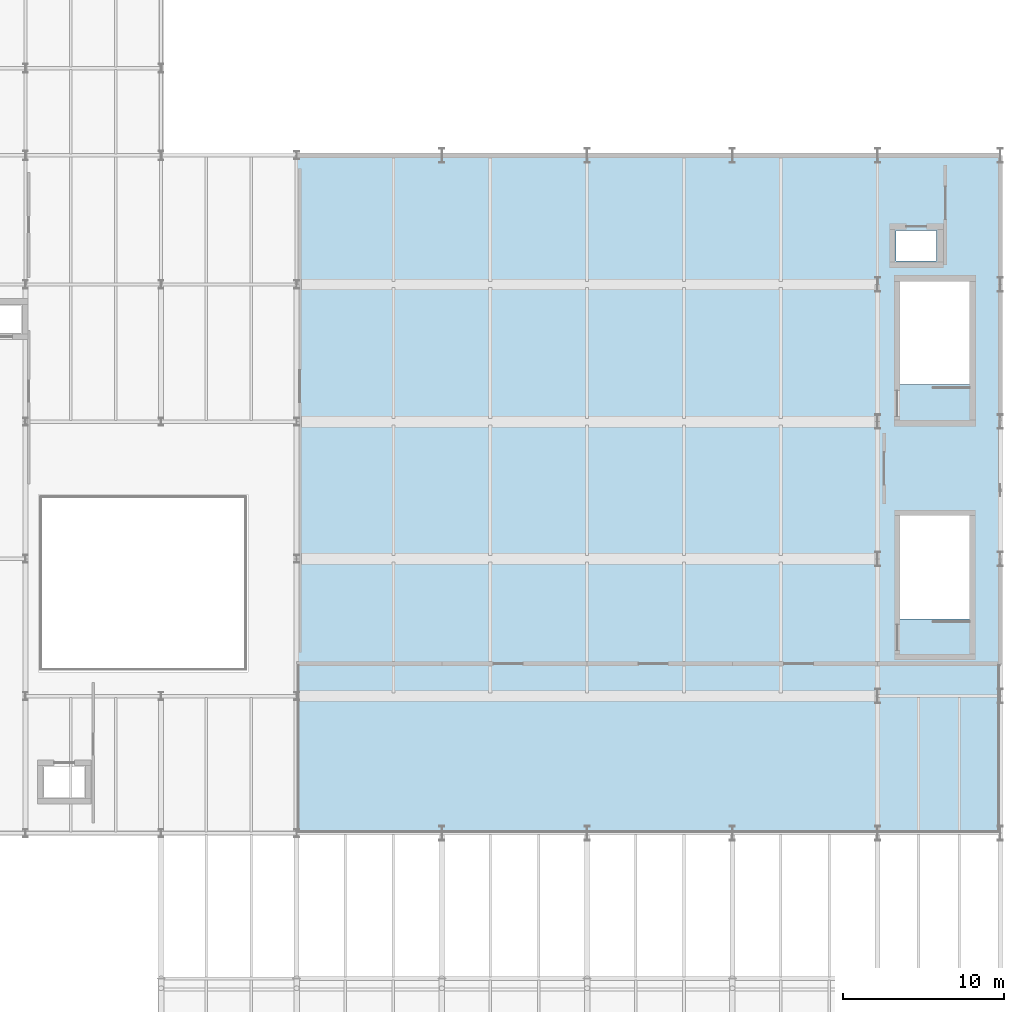
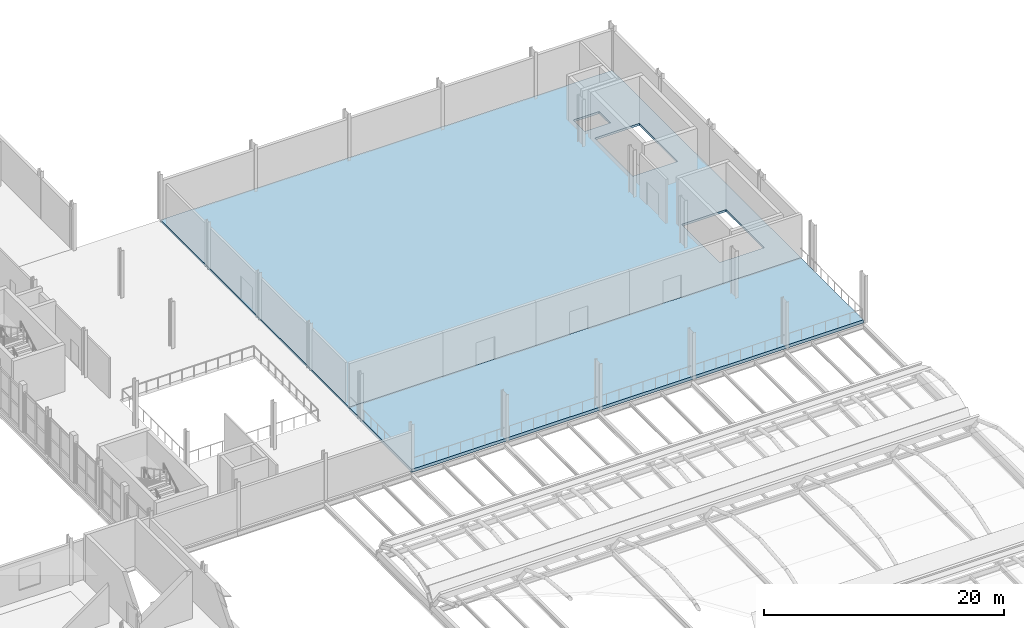
# One storey, part 40 of 63: 2 slabs.
"""IFC4 building model written with IfcOpenShell, lengths in metres."""

import ifcopenshell
import ifcopenshell.guid

model = None  # the IFC model being written
_history = None  # IfcOwnerHistory: only IFC2X3 demands one
_inside = {}  # id of a spatial element -> (the spatial element, [elements in it])
_under = {}  # id of a project, library or spatial element -> (it, [spatial elements below it])
_declared = {}  # id of a project -> (the project, [libraries it declares])
_typed = {}  # id of a type object -> (the type object, [elements of that type])
_made_of = {}  # id of a material, layer set ... -> (it, [elements and type objects made of it])


def new_model(schema):
    """Start an empty IFC model of exactly this schema.

    Asked for "IFC4X3", IfcOpenShell would pick the latest addendum, in which some entities
    have other attributes; the version numbers below select the first issue.
    IFC2X3 requires an IfcOwnerHistory on every rooted entity: one is made here for all.
    """
    global model, _history
    if schema == "IFC4X3":
        model = ifcopenshell.file(schema_version=(4, 3, 0, 0))
    else:
        model = ifcopenshell.file(schema=schema)
    _inside.clear()
    _under.clear()
    _declared.clear()
    _typed.clear()
    _made_of.clear()
    _history = None
    if model.schema == "IFC2X3":
        org = make("IfcOrganization", Name="unknown")
        user = make(
            "IfcPersonAndOrganization",
            ThePerson=make("IfcPerson", FamilyName="unknown"),
            TheOrganization=org,
        )
        app = make(
            "IfcApplication",
            ApplicationDeveloper=org,
            Version="unknown",
            ApplicationFullName="unknown",
            ApplicationIdentifier="unknown",
        )
        _history = make(
            "IfcOwnerHistory",
            OwningUser=user,
            OwningApplication=app,
            ChangeAction="ADDED",
            CreationDate=0,
        )
    return model


def make(cls, **values):
    """One entity of the class cls with the attributes given. An attribute that is None is left unset."""
    return model.create_entity(
        cls, **{name: value for name, value in values.items() if value is not None}
    )


def rooted(cls, **values):
    """An entity with a GlobalId (a new one), such as an element, a storey or a relation."""
    return make(cls, GlobalId=ifcopenshell.guid.new(), OwnerHistory=_history, **values)


def si_unit(unit_type, name, prefix=None):
    """IfcSIUnit, for example si_unit("LENGTHUNIT", "METRE", prefix="MILLI")."""
    return make("IfcSIUnit", UnitType=unit_type, Prefix=prefix, Name=name)


def assignment(units):
    """IfcUnitAssignment: the units of a project."""
    return None if units is None else make("IfcUnitAssignment", Units=units)


def point(xyz):
    """IfcCartesianPoint."""
    return None if xyz is None else make("IfcCartesianPoint", Coordinates=xyz)


def direction(xyz):
    """IfcDirection."""
    return None if xyz is None else make("IfcDirection", DirectionRatios=xyz)


def frame(location, z_axis=None, x_axis=None):
    """IfcAxis2Placement3D, a coordinate frame: its origin and axes. An axis left out is left unset."""
    return make(
        "IfcAxis2Placement3D",
        Location=point(location),
        Axis=direction(z_axis),
        RefDirection=direction(x_axis),
    )


def origin():
    """The frame at (0, 0, 0) with its axes left unset."""
    return frame((0.0, 0.0, 0.0))


def place(relative_to, where):
    """IfcLocalPlacement: puts the frame where relative to a parent placement (None: the world)."""
    return make(
        "IfcLocalPlacement", PlacementRelTo=relative_to, RelativePlacement=where
    )


def context(
    kind, dimensions, precision=None, world=None, true_north=None, identifier=None
):
    """IfcGeometricRepresentationContext, for example the 3D "Model" context."""
    return make(
        "IfcGeometricRepresentationContext",
        ContextIdentifier=identifier,
        ContextType=kind,
        CoordinateSpaceDimension=dimensions,
        Precision=precision,
        WorldCoordinateSystem=world,
        TrueNorth=true_north,
    )


def subcontext(parent, identifier, kind, view, scale=None):
    """IfcGeometricRepresentationSubContext, for example "Body" below "Model"."""
    return make(
        "IfcGeometricRepresentationSubContext",
        ContextIdentifier=identifier,
        ContextType=kind,
        ParentContext=parent,
        TargetScale=scale,
        TargetView=view,
    )


def project(units=None, contexts=None):
    """IfcProject with its units and contexts."""
    return rooted(
        "IfcProject",
        Name="project",
        RepresentationContexts=contexts,
        UnitsInContext=assignment(units),
    )


def spatial(cls, under=None, at=None, **own):
    """A site, building, storey or space (cls), placed at a placement, below another one or the project."""
    s = rooted(cls, ObjectPlacement=at, **own)
    if under is not None:
        _under.setdefault(under.id(), (under, []))[1].append(s)
    return s


def polyline(points):
    """IfcPolyline through the points."""
    return make("IfcPolyline", Points=[point(p) for p in points])


def outline(outer, holes=None, kind="AREA"):
    """IfcArbitraryClosedProfileDef: a profile drawn as a closed curve; with holes, ...WithVoids."""
    if holes is None:
        return make("IfcArbitraryClosedProfileDef", ProfileType=kind, OuterCurve=outer)
    return make(
        "IfcArbitraryProfileDefWithVoids",
        ProfileType=kind,
        OuterCurve=outer,
        InnerCurves=holes,
    )


def extrude(swept, where, along, depth):
    """IfcExtrudedAreaSolid: the profile swept, set in the frame where, extruded along a direction by depth."""
    return make(
        "IfcExtrudedAreaSolid",
        SweptArea=swept,
        Position=where,
        ExtrudedDirection=direction(along),
        Depth=depth,
    )


def shape(context_of_items, identifier, shape_type, items):
    """IfcShapeRepresentation: the items that make up one representation, for example the "Body"."""
    return make(
        "IfcShapeRepresentation",
        ContextOfItems=context_of_items,
        RepresentationIdentifier=identifier,
        RepresentationType=shape_type,
        Items=items,
    )


def material(Name=None, Category=None):
    """IfcMaterial."""
    return make("IfcMaterial", Name=Name, Category=Category)


def layer(
    of_material, thickness, ventilated=None, Name=None, Category=None, Priority=None
):
    """IfcMaterialLayer: one layer of a wall or slab, of a material (None: an air gap)."""
    return make(
        "IfcMaterialLayer",
        Material=of_material,
        LayerThickness=thickness,
        IsVentilated=ventilated,
        Name=Name,
        Category=Category,
        Priority=Priority,
    )


def layer_set(layers, Name=None):
    """IfcMaterialLayerSet."""
    return make("IfcMaterialLayerSet", MaterialLayers=layers, LayerSetName=Name)


def made_of(thing, what):
    """Note that an element or type object is made of a material, layer set ...; save() writes the relation."""
    if what is not None:
        _made_of.setdefault(what.id(), (what, []))[1].append(thing)
    return thing


def type_object(cls, material=None, **own):
    """A type object (cls), such as IfcWallType, which elements share."""
    return made_of(rooted(cls, **own), material)


def element(
    cls,
    number,
    at=None,
    inside=None,
    cuts=None,
    type_object=None,
    material=None,
    context=None,
    identifier="Body",
    shape_type=None,
    held_by="IfcProductDefinitionShape",
    body=None,
    shapes=None,
    **own,
):
    """One element of the class cls, such as IfcWall. Its Tag is "e" and its number.

    at: its placement. inside: the storey or other place that contains it. cuts: it is an
    opening in that element (IfcRelVoidsElement). A single representation is given by context,
    identifier, shape_type and body (its items); several are given by shapes. held_by: the class
    of the entity that holds the representations. save() writes the other relations.
    """
    e = rooted(cls, Tag="e%d" % number, ObjectPlacement=at, **own)
    if body is not None:
        shapes = [shape(context, identifier, shape_type, body)]
    if shapes is not None:
        e.Representation = make(held_by, Representations=shapes)
    if inside is not None:
        _inside.setdefault(inside.id(), (inside, []))[1].append(e)
    if cuts is not None:
        rooted(
            "IfcRelVoidsElement", RelatingBuildingElement=cuts, RelatedOpeningElement=e
        )
    if type_object is not None:
        _typed.setdefault(type_object.id(), (type_object, []))[1].append(e)
    return made_of(e, material)


def aggregate(whole, parts):
    """IfcRelAggregates: a whole, such as a stair, and the parts it consists of."""
    return rooted("IfcRelAggregates", RelatingObject=whole, RelatedObjects=parts)


def save(model, path):
    """Write the relations noted so far, then the file.

    IfcRelAggregates (storeys below a building ...), IfcRelContainedInSpatialStructure (elements
    in a storey), IfcRelDefinesByType, IfcRelAssociatesMaterial and IfcRelDeclares: one each for
    every whole, place, type object, material and project.
    """
    for whole, parts in _under.values():
        aggregate(whole, parts)
    for where, things in _inside.values():
        rooted(
            "IfcRelContainedInSpatialStructure",
            RelatedElements=things,
            RelatingStructure=where,
        )
    for kind, things in _typed.values():
        rooted("IfcRelDefinesByType", RelatedObjects=things, RelatingType=kind)
    for what, things in _made_of.values():
        rooted("IfcRelAssociatesMaterial", RelatedObjects=things, RelatingMaterial=what)
    for by, libraries in _declared.values():
        rooted("IfcRelDeclares", RelatingContext=by, RelatedDefinitions=libraries)
    model.write(path)


model = new_model("IFC4")

# Units and contexts
model_context = context("Model", 3, precision=1e-05, world=origin(), true_north=direction((0.0, 1.0)))
body_context = subcontext(model_context, "Body", "Model", "MODEL_VIEW")
ifc_project = project(units=[si_unit("LENGTHUNIT", "METRE"), si_unit("AREAUNIT", "SQUARE_METRE"), si_unit("VOLUMEUNIT", "CUBIC_METRE"), si_unit("PLANEANGLEUNIT", "RADIAN"), si_unit("MASSUNIT", "GRAM", prefix="KILO")], contexts=[model_context])

# Site, building, storey
site_placement = place(None, origin())
site = spatial("IfcSite", under=ifc_project, at=site_placement, CompositionType="ELEMENT")
building_placement = place(site_placement, origin())
building = spatial("IfcBuilding", under=site, at=building_placement, Name="Sefraquen Railside Congress Hotel", CompositionType="ELEMENT")
storey_placement = place(building_placement, frame((0.0, 0.0, 11.39990234375)))
storey = spatial("IfcBuildingStorey", under=building, at=storey_placement, Name="L02", CompositionType="ELEMENT", Elevation=11.39990234375)

# Slabs
ifc_material = material(Name="Concrete C40/50", Category="concrete")
ifc_layer_1 = layer(ifc_material, 0.219970703125)
ifc_layer_set_1 = layer_set([ifc_layer_1], Name="Concrete C40/50")
slab_type_1 = type_object("IfcSlabType", Name="TS-FS-220", PredefinedType="FLOOR", material=ifc_layer_set_1)
slab_1_placement = place(storey_placement, frame((0.0, 0.0, -0.219970703125)))
element("IfcSlab", 1, at=slab_1_placement, inside=storey, type_object=slab_type_1, Name="Diplomatic Banquet Salon L02 transfer floor slab", PredefinedType="FLOOR", context=body_context, shape_type="SweptSolid", body=[
    extrude(outline(polyline([(128.449951171875, 64.5), (172.0, 64.5), (172.0, 96.0), (128.449951171875, 96.0), (128.449951171875, 64.5)]), holes=[polyline([(165.800048828125, 81.7900390625), (170.10009765625, 81.7900390625), (170.10009765625, 88.179931640625), (165.800048828125, 88.179931640625), (165.800048828125, 81.7900390625)]), polyline([(165.800048828125, 67.2900390625), (170.10009765625, 67.2900390625), (170.10009765625, 73.679931640625), (165.800048828125, 73.679931640625), (165.800048828125, 67.2900390625)]), polyline([(165.550048828125, 89.449951171875), (168.050048828125, 89.449951171875), (168.050048828125, 91.35009765625), (165.550048828125, 91.35009765625), (165.550048828125, 89.449951171875)])]), origin(), (0.0, 0.0, 1.0), 0.219970703125),
])
ifc_layer_2 = layer(ifc_material, 0.320068359375)
ifc_layer_set_2 = layer_set([ifc_layer_2], Name="Concrete C40/50")
slab_type_2 = type_object("IfcSlabType", Name="TS-TR-320", PredefinedType="FLOOR", material=ifc_layer_set_2)
slab_2_placement = place(storey_placement, frame((0.0, 0.0, -0.31982421875)))
element("IfcSlab", 2, at=slab_2_placement, inside=storey, type_object=slab_type_2, Name="Planted roof garden L02 outdoor terrace slab", PredefinedType="FLOOR", context=body_context, shape_type="SweptSolid", body=[
    extrude(outline(polyline([(128.449951171875, 54.050048828125), (172.0, 54.050048828125), (172.0, 64.5), (128.449951171875, 64.5), (128.449951171875, 54.050048828125)])), origin(), (0.0, 0.0, 1.0), 0.31982421875),
])

save(model, "model.ifc")
